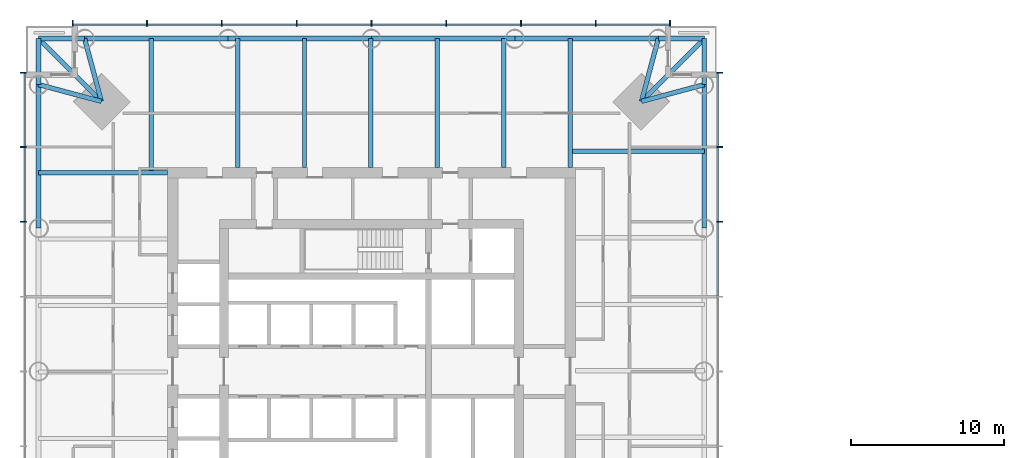
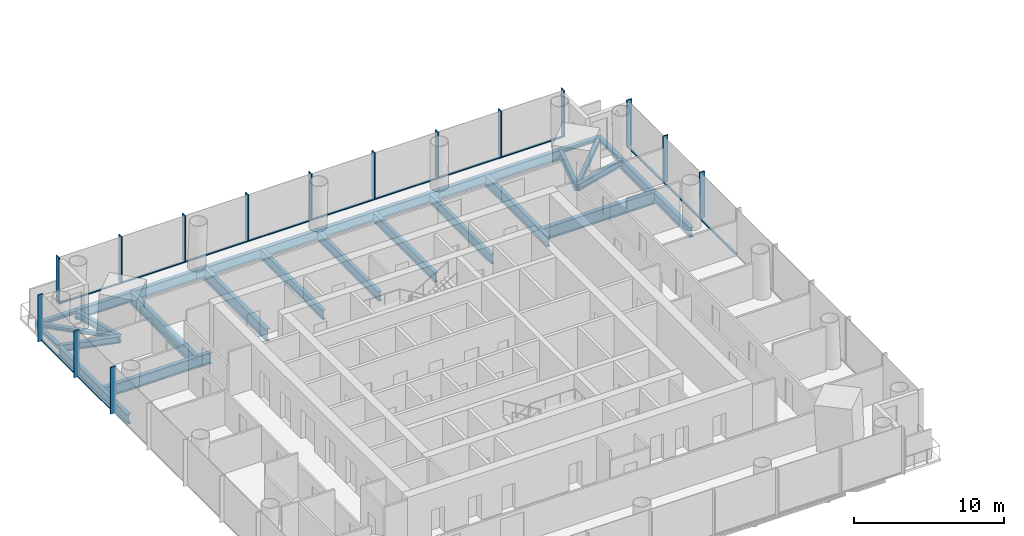
# One storey, part 3 of 18: 28 members, 25 beams, 3 elements without a shape of their own.
"""IFC4 building model written with IfcOpenShell, lengths in metres."""

from ifc_helpers import new_model, si_unit, direction, frame, origin, origin_2d, place, context, subcontext, project, spatial, rectangle, i_section, extrude, material, material_profile, profile_set, type_object, element, aggregate, save


model = new_model("IFC4")

# Units and contexts
model_context = context("Model", 3, precision=1e-05, world=origin(), true_north=direction((0.0, 1.0)))
body_context = subcontext(model_context, "Body", "Model", "MODEL_VIEW")
ifc_project = project(units=[si_unit("LENGTHUNIT", "METRE"), si_unit("AREAUNIT", "SQUARE_METRE"), si_unit("VOLUMEUNIT", "CUBIC_METRE"), si_unit("PLANEANGLEUNIT", "RADIAN"), si_unit("MASSUNIT", "GRAM", prefix="KILO")], contexts=[model_context])

# Site, building, storey
site_placement = place(None, origin())
site = spatial("IfcSite", under=ifc_project, at=site_placement, CompositionType="ELEMENT")
building_placement = place(site_placement, origin())
building = spatial("IfcBuilding", under=site, at=building_placement, Name="Ostroluk Exchange", CompositionType="ELEMENT")
storey_placement = place(building_placement, frame((0.0, 0.0, 93.199951171875)))
storey = spatial("IfcBuildingStorey", under=building, at=storey_placement, Name="L23", CompositionType="ELEMENT", Elevation=93.199951171875)

# Beams
ifc_material_1 = material(Name="Steel S355", Category="steel")
ifc_material_profile_1 = material_profile(ifc_material_1, i_section(OverallWidth=0.300048828125, OverallDepth=0.300048828125, WebThickness=0.010986328125, FlangeThickness=0.01904296875, FilletRadius=0.027099609375, at=origin_2d()), Name="HEB 300")
ifc_profile_set_1 = profile_set([ifc_material_profile_1], Name="Steel S355")
beam_type_1 = type_object("IfcBeamType", Name="Balcony beam HEB 300", PredefinedType="BEAM", material=ifc_profile_set_1)
for number, where, z_axis, x_axis, name in (
    (1, (66.69287109375, 64.69287109375, -0.329833984375), (0.0, 1.0, 0.0), (-1.0, 0.0, 0.0), "T1 east balcony beam a"),
    (2, (63.69287109375, 67.69287109375, -0.329833984375), (1.0, 0.0, 0.0), (0.0, 1.0, 0.0), "T1 east balcony beam b"),
):
    element("IfcBeam", number, at=place(storey_placement, frame(where, z_axis=z_axis, x_axis=x_axis)), inside=storey, type_object=beam_type_1, Name=name, PredefinedType="BEAM", context=body_context, shape_type="SweptSolid", body=[
        extrude(i_section(OverallWidth=0.300048828125, OverallDepth=0.300048828125, WebThickness=0.010986328125, FlangeThickness=0.01904296875, FilletRadius=0.027099609375, at=origin_2d()), origin(), (0.0, 0.0, 1.0), 3.0),
    ])
beam_1_placement = place(storey_placement, frame((62.5927734375, 63.5927734375, -0.329833984375), z_axis=(0.707106781187, 0.707106781187, 0.0), x_axis=(-0.707106781187, 0.707106781187, 0.0)))
element("IfcBeam", 3, at=beam_1_placement, inside=storey, type_object=beam_type_1, Name="T1 east balcony beam c", PredefinedType="BEAM", context=body_context, shape_type="SweptSolid", body=[
    extrude(i_section(OverallWidth=0.300048828125, OverallDepth=0.300048828125, WebThickness=0.010986328125, FlangeThickness=0.01904296875, FilletRadius=0.027099609375, at=origin_2d()), origin(), (0.0, 0.0, 1.0), 5.79833984375),
])
for number, where, z_axis, x_axis, name in (
    (4, (26.30712890625, 67.69287109375, -0.329833984375), (-1.0, 0.0, 0.0), (0.0, -1.0, 0.0), "T1 north balcony beam a"),
    (5, (23.30712890625, 64.69287109375, -0.329833984375), (0.0, 1.0, 0.0), (-1.0, 0.0, 0.0), "T1 north balcony beam b"),
):
    element("IfcBeam", number, at=place(storey_placement, frame(where, z_axis=z_axis, x_axis=x_axis)), inside=storey, type_object=beam_type_1, Name=name, PredefinedType="BEAM", context=body_context, shape_type="SweptSolid", body=[
        extrude(i_section(OverallWidth=0.300048828125, OverallDepth=0.300048828125, WebThickness=0.010986328125, FlangeThickness=0.01904296875, FilletRadius=0.027099609375, at=origin_2d()), origin(), (0.0, 0.0, 1.0), 3.0),
    ])
beam_2_placement = place(storey_placement, frame((27.4072265625, 63.5927734375, -0.329833984375), z_axis=(-0.707106781187, 0.707106781187, 0.0), x_axis=(-0.707106781187, -0.707106781187, 0.0)))
element("IfcBeam", 6, at=beam_2_placement, inside=storey, type_object=beam_type_1, Name="T1 north balcony beam c", PredefinedType="BEAM", context=body_context, shape_type="SweptSolid", body=[
    extrude(i_section(OverallWidth=0.300048828125, OverallDepth=0.300048828125, WebThickness=0.010986328125, FlangeThickness=0.01904296875, FilletRadius=0.027099609375, at=origin_2d()), origin(), (0.0, 0.0, 1.0), 5.79833984375),
])
ifc_material_2 = material(Name="Steel S355", Category="steel")
ifc_material_profile_2 = material_profile(ifc_material_2, i_section(OverallWidth=0.300048828125, OverallDepth=0.550048828125, WebThickness=0.014892578125, FlangeThickness=0.029052734375, FilletRadius=0.027099609375, at=origin_2d()), Name="HEB 550")
ifc_profile_set_2 = profile_set([ifc_material_profile_2], Name="Steel S355")
beam_type_2 = type_object("IfcBeamType", Name="Corner edge beam HEB 550", PredefinedType="SPANDREL", material=ifc_profile_set_2)
for number, where, z_axis, x_axis, name in (
    (7, (62.5927734375, 63.5927734375, -0.454833984375), (0.965838624319, 0.259144268261, 0.0), (-0.259144268261, 0.965838624319, 0.0), "T1 east corner edge beam a"),
    (8, (62.5927734375, 63.5927734375, -0.454833984375), (0.259144268261, 0.965838624319, 0.0), (-0.965838624319, 0.259144268261, 0.0), "T1 east corner edge beam b"),
    (9, (27.4072265625, 63.5927734375, -0.454833984375), (-0.259144268261, 0.965838624319, 0.0), (-0.965838624319, -0.259144268261, 0.0), "T1 north corner edge beam a"),
    (10, (27.4072265625, 63.5927734375, -0.454833984375), (-0.965838624319, 0.259144268261, 0.0), (-0.259144268261, -0.965838624319, 0.0), "T1 north corner edge beam b"),
):
    element("IfcBeam", number, at=place(storey_placement, frame(where, z_axis=z_axis, x_axis=x_axis)), inside=storey, type_object=beam_type_2, Name=name, PredefinedType="SPANDREL", context=body_context, shape_type="SweptSolid", body=[
        extrude(i_section(OverallWidth=0.300048828125, OverallDepth=0.550048828125, WebThickness=0.014892578125, FlangeThickness=0.029052734375, FilletRadius=0.027099609375, at=origin_2d()), origin(), (0.0, 0.0, 1.0), 4.2451171875),
    ])
ifc_material_3 = material(Name="Steel S355", Category="steel")
ifc_material_profile_3 = material_profile(ifc_material_3, i_section(OverallWidth=0.302001953125, OverallDepth=1.008056640625, WebThickness=0.02099609375, FlangeThickness=0.0400390625, FilletRadius=0.030029296875, at=origin_2d()), Name="HEM 1000")
ifc_profile_set_3 = profile_set([ifc_material_profile_3], Name="Steel S355")
beam_type_3 = type_object("IfcBeamType", Name="Floor beam HEM 1000", PredefinedType="BEAM", material=ifc_profile_set_3)
beam_3_placement = place(storey_placement, frame((57.949951171875, 60.35009765625, -0.683837890625), z_axis=(1.0, 0.0, 0.0), x_axis=(0.0, 1.0, 0.0)))
element("IfcBeam", 11, at=beam_3_placement, inside=storey, type_object=beam_type_3, Name="T1 east floor beam 6", PredefinedType="BEAM", context=body_context, shape_type="SweptSolid", body=[
    extrude(i_section(OverallWidth=0.302001953125, OverallDepth=1.008056640625, WebThickness=0.02099609375, FlangeThickness=0.0400390625, FilletRadius=0.030029296875, at=origin_2d()), origin(), (0.0, 0.0, 1.0), 8.742919921875),
])
beam_4_placement = place(storey_placement, frame((36.298095703125, 59.300048828125, -0.683837890625), z_axis=(0.0, 1.0, 0.0), x_axis=(-1.0, 0.0, 0.0)))
element("IfcBeam", 12, at=beam_4_placement, inside=storey, type_object=beam_type_3, Name="T1 north floor beam 5", PredefinedType="BEAM", context=body_context, shape_type="SweptSolid", body=[
    extrude(i_section(OverallWidth=0.302001953125, OverallDepth=1.008056640625, WebThickness=0.02099609375, FlangeThickness=0.0400390625, FilletRadius=0.030029296875, at=origin_2d()), origin(), (0.0, 0.0, 1.0), 8.392822265625),
])
beam_5_placement = place(storey_placement, frame((30.64990234375, 58.949951171875, -0.683837890625), z_axis=(0.0, 1.0, 0.0), x_axis=(-1.0, 0.0, 0.0)))
element("IfcBeam", 13, at=beam_5_placement, inside=storey, type_object=beam_type_3, Name="T1 north floor beam 6", PredefinedType="BEAM", context=body_context, shape_type="SweptSolid", body=[
    extrude(i_section(OverallWidth=0.302001953125, OverallDepth=1.008056640625, WebThickness=0.02099609375, FlangeThickness=0.0400390625, FilletRadius=0.030029296875, at=origin_2d()), origin(), (0.0, 0.0, 1.0), 8.742919921875),
])
ifc_material_4 = material(Name="Steel S355", Category="steel")
ifc_material_profile_4 = material_profile(ifc_material_4, i_section(OverallWidth=0.26708984375, OverallDepth=0.761962890625, WebThickness=0.014404296875, FlangeThickness=0.021484375, FilletRadius=0.01708984375, at=origin_2d()), Name="IPE 750x173")
ifc_profile_set_4 = profile_set([ifc_material_profile_4], Name="Steel S355")
beam_type_4 = type_object("IfcBeamType", Name="Floor beam IPE 750x173", PredefinedType="BEAM", material=ifc_profile_set_4)
for number, where, z_axis, x_axis, name in (
    (14, (53.61962890625, 59.300048828125, -0.56103515625), (0.0, 1.0, 0.0), (-1.0, 0.0, 0.0), "T1 north floor beam 1"),
    (15, (49.289306640625, 59.300048828125, -0.56103515625), (0.0, 1.0, 0.0), (-1.0, 0.0, 0.0), "T1 north floor beam 2"),
    (16, (44.958984375, 59.300048828125, -0.56103515625), (0.0, 1.0, 0.0), (-1.0, 0.0, 0.0), "T1 north floor beam 3"),
    (17, (40.628662109375, 59.300048828125, -0.56103515625), (0.0, 1.0, 0.0), (-1.0, 0.0, 0.0), "T1 north floor beam 4"),
):
    element("IfcBeam", number, at=place(storey_placement, frame(where, z_axis=z_axis, x_axis=x_axis)), inside=storey, type_object=beam_type_4, Name=name, PredefinedType="BEAM", context=body_context, shape_type="SweptSolid", body=[
        extrude(i_section(OverallWidth=0.26708984375, OverallDepth=0.761962890625, WebThickness=0.014404296875, FlangeThickness=0.021484375, FilletRadius=0.01708984375, at=origin_2d()), origin(), (0.0, 0.0, 1.0), 8.392822265625),
    ])
ifc_material_5 = material(Name="Steel S355", Category="steel")
ifc_material_profile_5 = material_profile(ifc_material_5, i_section(OverallWidth=0.300048828125, OverallDepth=0.89990234375, WebThickness=0.0185546875, FlangeThickness=0.034912109375, FilletRadius=0.030029296875, at=origin_2d()), Name="HEB 900")
ifc_profile_set_5 = profile_set([ifc_material_profile_5], Name="Steel S355")
beam_type_5 = type_object("IfcBeamType", Name="Girder HEB 900", PredefinedType="BEAM", material=ifc_profile_set_5)
for number, where, z_axis, x_axis, name in (
    (18, (57.949951171875, 59.300048828125, -0.6298828125), (0.0, 1.0, 0.0), (-1.0, 0.0, 0.0), "T1 east girder"),
    (19, (31.699951171875, 58.949951171875, -0.6298828125), (-1.0, 0.0, 0.0), (0.0, -1.0, 0.0), "T1 north girder"),
):
    element("IfcBeam", number, at=place(storey_placement, frame(where, z_axis=z_axis, x_axis=x_axis)), inside=storey, type_object=beam_type_5, Name=name, PredefinedType="BEAM", context=body_context, shape_type="SweptSolid", body=[
        extrude(i_section(OverallWidth=0.300048828125, OverallDepth=0.89990234375, WebThickness=0.0185546875, FlangeThickness=0.034912109375, FilletRadius=0.030029296875, at=origin_2d()), origin(), (0.0, 0.0, 1.0), 8.392822265625),
    ])
ifc_material_6 = material(Name="Steel S355", Category="steel")
ifc_material_profile_6 = material_profile(ifc_material_6, i_section(OverallWidth=0.300048828125, OverallDepth=0.800048828125, WebThickness=0.017578125, FlangeThickness=0.032958984375, FilletRadius=0.030029296875, at=origin_2d()), Name="HEB 800")
ifc_profile_set_6 = profile_set([ifc_material_profile_6], Name="Steel S355")
beam_type_6 = type_object("IfcBeamType", Name="Moment-connected edge beam HEB 800", PredefinedType="SPANDREL", material=ifc_profile_set_6)
for number, where, z_axis, x_axis, name in (
    (20, (66.69287109375, 55.346435546875, -0.579833984375), (0.0, 1.0, 0.0), (-1.0, 0.0, 0.0), "T1 east edge beam 4"),
    (21, (63.69287109375, 67.69287109375, -0.579833984375), (-1.0, 0.0, 0.0), (0.0, -1.0, 0.0), "T1 north edge beam 1"),
    (22, (54.346435546875, 67.69287109375, -0.579833984375), (-1.0, 0.0, 0.0), (0.0, -1.0, 0.0), "T1 north edge beam 2"),
    (23, (45.0, 67.69287109375, -0.579833984375), (-1.0, 0.0, 0.0), (0.0, -1.0, 0.0), "T1 north edge beam 3"),
    (24, (35.653564453125, 67.69287109375, -0.579833984375), (-1.0, 0.0, 0.0), (0.0, -1.0, 0.0), "T1 north edge beam 4"),
    (25, (23.30712890625, 64.69287109375, -0.579833984375), (0.0, -1.0, 0.0), (1.0, 0.0, 0.0), "T1 west edge beam 1"),
):
    element("IfcBeam", number, at=place(storey_placement, frame(where, z_axis=z_axis, x_axis=x_axis)), inside=storey, type_object=beam_type_6, Name=name, PredefinedType="SPANDREL", context=body_context, shape_type="SweptSolid", body=[
        extrude(i_section(OverallWidth=0.300048828125, OverallDepth=0.800048828125, WebThickness=0.017578125, FlangeThickness=0.032958984375, FilletRadius=0.030029296875, at=origin_2d()), origin(), (0.0, 0.0, 1.0), 9.346435546875),
    ])

# Curtain wall, members
ifc_material_7 = material(Name="Laminated clear glass", Category="glass")
curtain_wall_type = type_object("IfcCurtainWallType", Name="Office tower facade", PredefinedType="USERDEFINED", material=ifc_material_7)
curtain_wall_1_placement = place(storey_placement, origin())
curtain_wall_1 = element("IfcCurtainWall", 26, at=curtain_wall_1_placement, inside=storey, type_object=curtain_wall_type, Name="Office tower east facade L23", ObjectType="UNITISED CURTAIN WALL", PredefinedType="USERDEFINED")
ifc_material_8 = material(Name="Aluminium mullion", Category="aluminium")
ifc_material_profile_7 = material_profile(ifc_material_8, rectangle(XDim=0.14990234375, YDim=0.080078125, at=origin_2d()), Name="Sill transom 80 x 150")
ifc_profile_set_7 = profile_set([ifc_material_profile_7], Name="Aluminium mullion")
member_type_1 = type_object("IfcMemberType", Name="Sill transom 80 x 150", PredefinedType="USERDEFINED", material=ifc_profile_set_7)
member_1_placement = place(storey_placement, frame((67.574951171875, 50.9150390625, 0.0400390625), z_axis=(0.0, 1.0, 0.0), x_axis=(-1.0, 0.0, 0.0)))
member_1 = element("IfcMember", 27, at=member_1_placement, type_object=member_type_1, Name="CW-O1 transom 6.1", ObjectType="TRANSOM", PredefinedType="USERDEFINED", context=body_context, shape_type="SweptSolid", body=[
    extrude(rectangle(XDim=0.14990234375, YDim=0.080078125, at=origin_2d()), origin(), (0.0, 0.0, 1.0), 4.794921875),
])
member_2_placement = place(storey_placement, frame((67.574951171875, 55.7900390625, 0.0400390625), z_axis=(0.0, 1.0, 0.0), x_axis=(-1.0, 0.0, 0.0)))
member_2 = element("IfcMember", 28, at=member_2_placement, type_object=member_type_1, Name="CW-O1 transom 7.1", ObjectType="TRANSOM", PredefinedType="USERDEFINED", context=body_context, shape_type="SweptSolid", body=[
    extrude(rectangle(XDim=0.14990234375, YDim=0.080078125, at=origin_2d()), origin(), (0.0, 0.0, 1.0), 4.794921875),
])
member_3_placement = place(storey_placement, frame((67.574951171875, 60.6650390625, 0.0400390625), z_axis=(0.0, 1.0, 0.0), x_axis=(-1.0, 0.0, 0.0)))
member_3 = element("IfcMember", 29, at=member_3_placement, type_object=member_type_1, Name="CW-O1 transom 8.1", ObjectType="TRANSOM", PredefinedType="USERDEFINED", context=body_context, shape_type="SweptSolid", body=[
    extrude(rectangle(XDim=0.14990234375, YDim=0.080078125, at=origin_2d()), origin(), (0.0, 0.0, 1.0), 4.7548828125),
])

curtain_wall_2_placement = place(storey_placement, origin())
curtain_wall_2 = element("IfcCurtainWall", 30, at=curtain_wall_2_placement, inside=storey, type_object=curtain_wall_type, Name="Office tower north facade L23", ObjectType="UNITISED CURTAIN WALL", PredefinedType="USERDEFINED")
member_4_placement = place(storey_placement, frame((64.419921875, 68.574951171875, 0.0400390625), z_axis=(-1.0, 0.0, 0.0), x_axis=(0.0, -1.0, 0.0)))
member_4 = element("IfcMember", 31, at=member_4_placement, type_object=member_type_1, Name="CW-O1 transom 1.1", ObjectType="TRANSOM", PredefinedType="USERDEFINED", context=body_context, shape_type="SweptSolid", body=[
    extrude(rectangle(XDim=0.14990234375, YDim=0.080078125, at=origin_2d()), origin(), (0.0, 0.0, 1.0), 4.7548828125),
])
member_5_placement = place(storey_placement, frame((59.5849609375, 68.574951171875, 0.0400390625), z_axis=(-1.0, 0.0, 0.0), x_axis=(0.0, -1.0, 0.0)))
member_5 = element("IfcMember", 32, at=member_5_placement, type_object=member_type_1, Name="CW-O1 transom 2.1", ObjectType="TRANSOM", PredefinedType="USERDEFINED", context=body_context, shape_type="SweptSolid", body=[
    extrude(rectangle(XDim=0.14990234375, YDim=0.080078125, at=origin_2d()), origin(), (0.0, 0.0, 1.0), 4.794921875),
])
member_6_placement = place(storey_placement, frame((54.7099609375, 68.574951171875, 0.0400390625), z_axis=(-1.0, 0.0, 0.0), x_axis=(0.0, -1.0, 0.0)))
member_6 = element("IfcMember", 33, at=member_6_placement, type_object=member_type_1, Name="CW-O1 transom 3.1", ObjectType="TRANSOM", PredefinedType="USERDEFINED", context=body_context, shape_type="SweptSolid", body=[
    extrude(rectangle(XDim=0.14990234375, YDim=0.080078125, at=origin_2d()), origin(), (0.0, 0.0, 1.0), 4.794921875),
])
member_7_placement = place(storey_placement, frame((49.8349609375, 68.574951171875, 0.0400390625), z_axis=(-1.0, 0.0, 0.0), x_axis=(0.0, -1.0, 0.0)))
member_7 = element("IfcMember", 34, at=member_7_placement, type_object=member_type_1, Name="CW-O1 transom 4.1", ObjectType="TRANSOM", PredefinedType="USERDEFINED", context=body_context, shape_type="SweptSolid", body=[
    extrude(rectangle(XDim=0.14990234375, YDim=0.080078125, at=origin_2d()), origin(), (0.0, 0.0, 1.0), 4.794921875),
])
member_8_placement = place(storey_placement, frame((44.9599609375, 68.574951171875, 0.0400390625), z_axis=(-1.0, 0.0, 0.0), x_axis=(0.0, -1.0, 0.0)))
member_8 = element("IfcMember", 35, at=member_8_placement, type_object=member_type_1, Name="CW-O1 transom 5.1", ObjectType="TRANSOM", PredefinedType="USERDEFINED", context=body_context, shape_type="SweptSolid", body=[
    extrude(rectangle(XDim=0.14990234375, YDim=0.080078125, at=origin_2d()), origin(), (0.0, 0.0, 1.0), 4.794921875),
])
member_9_placement = place(storey_placement, frame((40.0849609375, 68.574951171875, 0.0400390625), z_axis=(-1.0, 0.0, 0.0), x_axis=(0.0, -1.0, 0.0)))
member_9 = element("IfcMember", 36, at=member_9_placement, type_object=member_type_1, Name="CW-O1 transom 6.1", ObjectType="TRANSOM", PredefinedType="USERDEFINED", context=body_context, shape_type="SweptSolid", body=[
    extrude(rectangle(XDim=0.14990234375, YDim=0.080078125, at=origin_2d()), origin(), (0.0, 0.0, 1.0), 4.794921875),
])
member_10_placement = place(storey_placement, frame((35.2099609375, 68.574951171875, 0.0400390625), z_axis=(-1.0, 0.0, 0.0), x_axis=(0.0, -1.0, 0.0)))
member_10 = element("IfcMember", 37, at=member_10_placement, type_object=member_type_1, Name="CW-O1 transom 7.1", ObjectType="TRANSOM", PredefinedType="USERDEFINED", context=body_context, shape_type="SweptSolid", body=[
    extrude(rectangle(XDim=0.14990234375, YDim=0.080078125, at=origin_2d()), origin(), (0.0, 0.0, 1.0), 4.794921875),
])
member_11_placement = place(storey_placement, frame((30.3349609375, 68.574951171875, 0.0400390625), z_axis=(-1.0, 0.0, 0.0), x_axis=(0.0, -1.0, 0.0)))
member_11 = element("IfcMember", 38, at=member_11_placement, type_object=member_type_1, Name="CW-O1 transom 8.1", ObjectType="TRANSOM", PredefinedType="USERDEFINED", context=body_context, shape_type="SweptSolid", body=[
    extrude(rectangle(XDim=0.14990234375, YDim=0.080078125, at=origin_2d()), origin(), (0.0, 0.0, 1.0), 4.7548828125),
])

curtain_wall_3_placement = place(storey_placement, origin())
curtain_wall_3 = element("IfcCurtainWall", 39, at=curtain_wall_3_placement, inside=storey, type_object=curtain_wall_type, Name="Office tower west facade L23", ObjectType="UNITISED CURTAIN WALL", PredefinedType="USERDEFINED")
member_12_placement = place(storey_placement, frame((22.425048828125, 65.419921875, 0.0400390625), z_axis=(0.0, -1.0, 0.0), x_axis=(1.0, 0.0, 0.0)))
member_12 = element("IfcMember", 40, at=member_12_placement, type_object=member_type_1, Name="CW-O1 transom 1.1", ObjectType="TRANSOM", PredefinedType="USERDEFINED", context=body_context, shape_type="SweptSolid", body=[
    extrude(rectangle(XDim=0.14990234375, YDim=0.080078125, at=origin_2d()), origin(), (0.0, 0.0, 1.0), 4.7548828125),
])
member_13_placement = place(storey_placement, frame((22.425048828125, 60.5849609375, 0.0400390625), z_axis=(0.0, -1.0, 0.0), x_axis=(1.0, 0.0, 0.0)))
member_13 = element("IfcMember", 41, at=member_13_placement, type_object=member_type_1, Name="CW-O1 transom 2.1", ObjectType="TRANSOM", PredefinedType="USERDEFINED", context=body_context, shape_type="SweptSolid", body=[
    extrude(rectangle(XDim=0.14990234375, YDim=0.080078125, at=origin_2d()), origin(), (0.0, 0.0, 1.0), 4.794921875),
])

# Member
ifc_material_9 = material(Name="Aluminium mullion with limestone facing", Category="masonry")
ifc_material_profile_8 = material_profile(ifc_material_9, rectangle(XDim=0.39990234375, YDim=0.080078125, at=origin_2d()), Name="Tracery mullion 80 x 400")
ifc_profile_set_8 = profile_set([ifc_material_profile_8], Name="Aluminium mullion with limestone facing")
member_type_2 = type_object("IfcMemberType", Name="Tracery mullion 80 x 400", PredefinedType="MULLION", material=ifc_profile_set_8)
member_14_placement = place(storey_placement, frame((67.699951171875, 55.75, 0.0), z_axis=(0.0, 0.0, 1.0), x_axis=(-1.0, 0.0, 0.0)))
member_14 = element("IfcMember", 42, at=member_14_placement, type_object=member_type_2, Name="CW-O1 mullion 7", PredefinedType="MULLION", context=body_context, shape_type="SweptSolid", body=[
    extrude(rectangle(XDim=0.39990234375, YDim=0.080078125, at=origin_2d()), origin(), (0.0, 0.0, 1.0), 3.800048828125),
])

member_15_placement = place(storey_placement, frame((67.699951171875, 60.625, 0.0), z_axis=(0.0, 0.0, 1.0), x_axis=(-1.0, 0.0, 0.0)))
member_15 = element("IfcMember", 43, at=member_15_placement, type_object=member_type_2, Name="CW-O1 mullion 8", PredefinedType="MULLION", context=body_context, shape_type="SweptSolid", body=[
    extrude(rectangle(XDim=0.39990234375, YDim=0.080078125, at=origin_2d()), origin(), (0.0, 0.0, 1.0), 3.800048828125),
])

member_16_placement = place(storey_placement, frame((67.699951171875, 65.4599609375, 0.0), z_axis=(0.0, 0.0, 1.0), x_axis=(-1.0, 0.0, 0.0)))
member_16 = element("IfcMember", 44, at=member_16_placement, type_object=member_type_2, Name="CW-O1 mullion 9", PredefinedType="MULLION", context=body_context, shape_type="SweptSolid", body=[
    extrude(rectangle(XDim=0.39990234375, YDim=0.080078125, at=origin_2d()), origin(), (0.0, 0.0, 1.0), 3.800048828125),
])

aggregate(curtain_wall_1, [member_14, member_15, member_16, member_1, member_2, member_3])

member_17_placement = place(storey_placement, frame((64.4599609375, 68.699951171875, 0.0), z_axis=(0.0, 0.0, 1.0), x_axis=(0.0, -1.0, 0.0)))
member_17 = element("IfcMember", 45, at=member_17_placement, type_object=member_type_2, Name="CW-O1 mullion 1", PredefinedType="MULLION", context=body_context, shape_type="SweptSolid", body=[
    extrude(rectangle(XDim=0.39990234375, YDim=0.080078125, at=origin_2d()), origin(), (0.0, 0.0, 1.0), 3.800048828125),
])

member_18_placement = place(storey_placement, frame((59.625, 68.699951171875, 0.0), z_axis=(0.0, 0.0, 1.0), x_axis=(0.0, -1.0, 0.0)))
member_18 = element("IfcMember", 46, at=member_18_placement, type_object=member_type_2, Name="CW-O1 mullion 2", PredefinedType="MULLION", context=body_context, shape_type="SweptSolid", body=[
    extrude(rectangle(XDim=0.39990234375, YDim=0.080078125, at=origin_2d()), origin(), (0.0, 0.0, 1.0), 3.800048828125),
])

member_19_placement = place(storey_placement, frame((54.75, 68.699951171875, 0.0), z_axis=(0.0, 0.0, 1.0), x_axis=(0.0, -1.0, 0.0)))
member_19 = element("IfcMember", 47, at=member_19_placement, type_object=member_type_2, Name="CW-O1 mullion 3", PredefinedType="MULLION", context=body_context, shape_type="SweptSolid", body=[
    extrude(rectangle(XDim=0.39990234375, YDim=0.080078125, at=origin_2d()), origin(), (0.0, 0.0, 1.0), 3.800048828125),
])

member_20_placement = place(storey_placement, frame((49.875, 68.699951171875, 0.0), z_axis=(0.0, 0.0, 1.0), x_axis=(0.0, -1.0, 0.0)))
member_20 = element("IfcMember", 48, at=member_20_placement, type_object=member_type_2, Name="CW-O1 mullion 4", PredefinedType="MULLION", context=body_context, shape_type="SweptSolid", body=[
    extrude(rectangle(XDim=0.39990234375, YDim=0.080078125, at=origin_2d()), origin(), (0.0, 0.0, 1.0), 3.800048828125),
])

member_21_placement = place(storey_placement, frame((45.0, 68.699951171875, 0.0), z_axis=(0.0, 0.0, 1.0), x_axis=(0.0, -1.0, 0.0)))
member_21 = element("IfcMember", 49, at=member_21_placement, type_object=member_type_2, Name="CW-O1 mullion 5", PredefinedType="MULLION", context=body_context, shape_type="SweptSolid", body=[
    extrude(rectangle(XDim=0.39990234375, YDim=0.080078125, at=origin_2d()), origin(), (0.0, 0.0, 1.0), 3.800048828125),
])

member_22_placement = place(storey_placement, frame((40.125, 68.699951171875, 0.0), z_axis=(0.0, 0.0, 1.0), x_axis=(0.0, -1.0, 0.0)))
member_22 = element("IfcMember", 50, at=member_22_placement, type_object=member_type_2, Name="CW-O1 mullion 6", PredefinedType="MULLION", context=body_context, shape_type="SweptSolid", body=[
    extrude(rectangle(XDim=0.39990234375, YDim=0.080078125, at=origin_2d()), origin(), (0.0, 0.0, 1.0), 3.800048828125),
])

member_23_placement = place(storey_placement, frame((35.25, 68.699951171875, 0.0), z_axis=(0.0, 0.0, 1.0), x_axis=(0.0, -1.0, 0.0)))
member_23 = element("IfcMember", 51, at=member_23_placement, type_object=member_type_2, Name="CW-O1 mullion 7", PredefinedType="MULLION", context=body_context, shape_type="SweptSolid", body=[
    extrude(rectangle(XDim=0.39990234375, YDim=0.080078125, at=origin_2d()), origin(), (0.0, 0.0, 1.0), 3.800048828125),
])

member_24_placement = place(storey_placement, frame((30.375, 68.699951171875, 0.0), z_axis=(0.0, 0.0, 1.0), x_axis=(0.0, -1.0, 0.0)))
member_24 = element("IfcMember", 52, at=member_24_placement, type_object=member_type_2, Name="CW-O1 mullion 8", PredefinedType="MULLION", context=body_context, shape_type="SweptSolid", body=[
    extrude(rectangle(XDim=0.39990234375, YDim=0.080078125, at=origin_2d()), origin(), (0.0, 0.0, 1.0), 3.800048828125),
])

member_25_placement = place(storey_placement, frame((25.5400390625, 68.699951171875, 0.0), z_axis=(0.0, 0.0, 1.0), x_axis=(0.0, -1.0, 0.0)))
member_25 = element("IfcMember", 53, at=member_25_placement, type_object=member_type_2, Name="CW-O1 mullion 9", PredefinedType="MULLION", context=body_context, shape_type="SweptSolid", body=[
    extrude(rectangle(XDim=0.39990234375, YDim=0.080078125, at=origin_2d()), origin(), (0.0, 0.0, 1.0), 3.800048828125),
])

aggregate(curtain_wall_2, [member_17, member_18, member_19, member_20, member_21, member_22, member_23, member_24, member_25, member_4, member_5, member_6, member_7, member_8, member_9, member_10, member_11])

member_26_placement = place(storey_placement, frame((22.300048828125, 65.4599609375, 0.0), z_axis=(0.0, 0.0, 1.0), x_axis=(1.0, 0.0, 0.0)))
member_26 = element("IfcMember", 54, at=member_26_placement, type_object=member_type_2, Name="CW-O1 mullion 1", PredefinedType="MULLION", context=body_context, shape_type="SweptSolid", body=[
    extrude(rectangle(XDim=0.39990234375, YDim=0.080078125, at=origin_2d()), origin(), (0.0, 0.0, 1.0), 3.800048828125),
])

member_27_placement = place(storey_placement, frame((22.300048828125, 60.625, 0.0), z_axis=(0.0, 0.0, 1.0), x_axis=(1.0, 0.0, 0.0)))
member_27 = element("IfcMember", 55, at=member_27_placement, type_object=member_type_2, Name="CW-O1 mullion 2", PredefinedType="MULLION", context=body_context, shape_type="SweptSolid", body=[
    extrude(rectangle(XDim=0.39990234375, YDim=0.080078125, at=origin_2d()), origin(), (0.0, 0.0, 1.0), 3.800048828125),
])

member_28_placement = place(storey_placement, frame((22.300048828125, 55.75, 0.0), z_axis=(0.0, 0.0, 1.0), x_axis=(1.0, 0.0, 0.0)))
member_28 = element("IfcMember", 56, at=member_28_placement, type_object=member_type_2, Name="CW-O1 mullion 3", PredefinedType="MULLION", context=body_context, shape_type="SweptSolid", body=[
    extrude(rectangle(XDim=0.39990234375, YDim=0.080078125, at=origin_2d()), origin(), (0.0, 0.0, 1.0), 3.800048828125),
])

aggregate(curtain_wall_3, [member_26, member_27, member_28, member_12, member_13])

save(model, "model.ifc")
